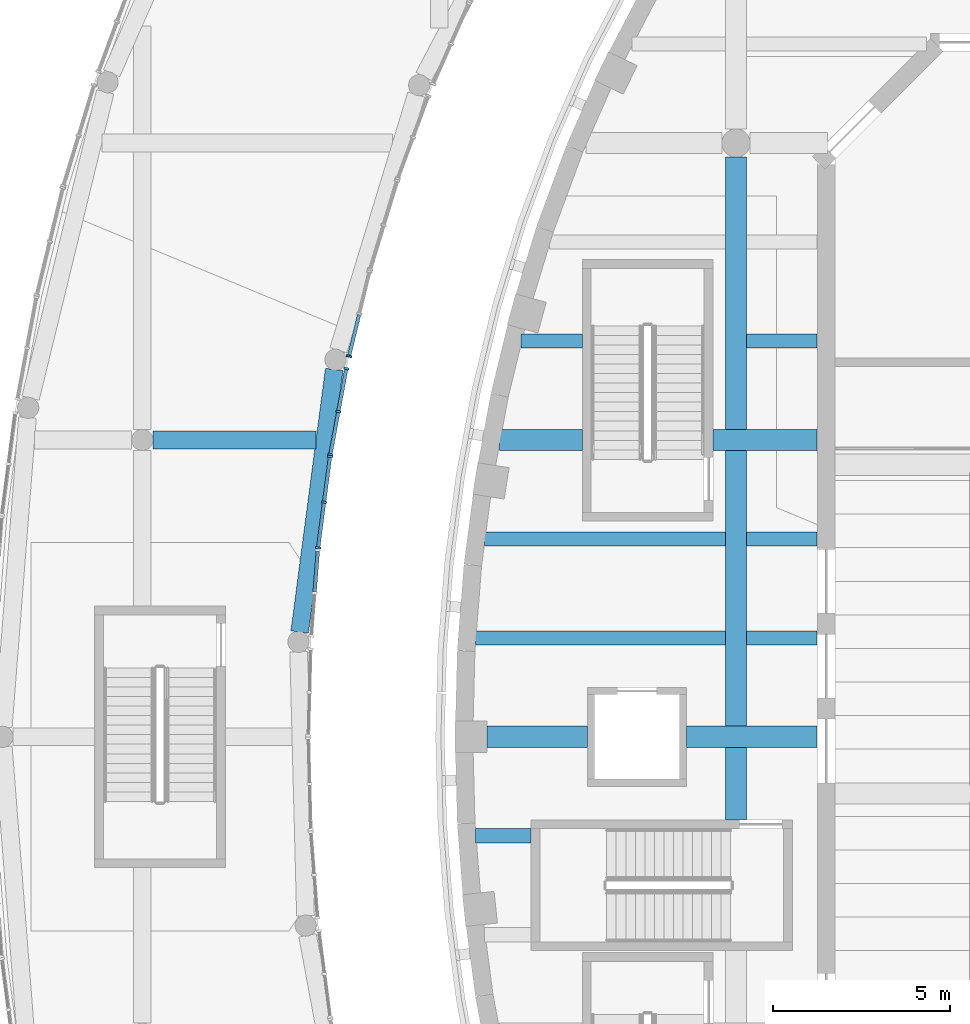
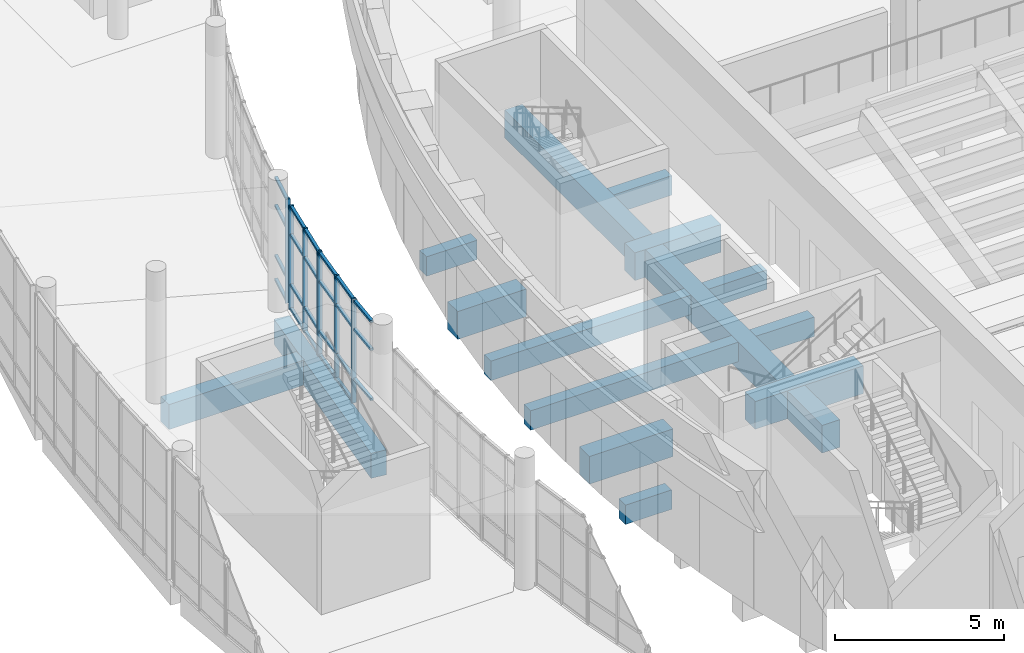
# One storey, part 20 of 119: 30 members, 14 beams, 4 elements without a shape of their own.
"""IFC4 building model written with IfcOpenShell, lengths in metres."""

from ifc_helpers import new_model, si_unit, direction, frame, origin, origin_2d, place, context, subcontext, project, spatial, rectangle, extrude, material, layer, layer_set, material_profile, profile_set, type_object, element, aggregate, save


model = new_model("IFC4")

# Units and contexts
model_context = context("Model", 3, precision=1e-05, world=origin(), true_north=direction((0.0, 1.0)))
body_context = subcontext(model_context, "Body", "Model", "MODEL_VIEW")
ifc_project = project(units=[si_unit("LENGTHUNIT", "METRE"), si_unit("AREAUNIT", "SQUARE_METRE"), si_unit("VOLUMEUNIT", "CUBIC_METRE"), si_unit("PLANEANGLEUNIT", "RADIAN"), si_unit("MASSUNIT", "GRAM", prefix="KILO")], contexts=[model_context])

# Site, building, storey
site_placement = place(None, origin())
site = spatial("IfcSite", under=ifc_project, at=site_placement, CompositionType="ELEMENT")
building_placement = place(site_placement, origin())
building = spatial("IfcBuilding", under=site, at=building_placement, Name="Larchfold Concert Hall", CompositionType="ELEMENT")
storey_placement = place(building_placement, frame((0.0, 0.0, 4.800048828125)))
storey = spatial("IfcBuildingStorey", under=building, at=storey_placement, Name="L01", CompositionType="ELEMENT", Elevation=4.800048828125)

# Curtain wall, members
ifc_material_1 = material(Name="Anodised graphite aluminium curtain wall", Category="aluminium")
ifc_layer = layer(ifc_material_1, 0.14990234375)
ifc_layer_set = layer_set([ifc_layer], Name="Anodised graphite aluminium curtain wall")
curtain_wall_type = type_object("IfcCurtainWallType", Name="Curtain wall WG", PredefinedType="NOTDEFINED", material=ifc_layer_set)
curtain_wall_1_placement = place(storey_placement, origin())
curtain_wall_1 = element("IfcCurtainWall", 1, at=curtain_wall_1_placement, inside=storey, type_object=curtain_wall_type, Name="Curtain wall CW0149", PredefinedType="NOTDEFINED")
ifc_material_2 = material(Name="Anodised graphite aluminium mullion", Category="aluminium")
ifc_material_profile_1 = material_profile(ifc_material_2, rectangle(XDim=0.14990234375, YDim=0.06005859375, at=origin_2d()))
ifc_profile_set_1 = profile_set([ifc_material_profile_1], Name="Anodised graphite aluminium mullion")
member_type_1 = type_object("IfcMemberType", Name="Aluminium mullion 60x150", PredefinedType="MULLION", material=ifc_profile_set_1)
member_1_placement = place(storey_placement, frame((13.977783203125, 89.94580078125, 0.0), z_axis=(0.0, 0.0, 1.0), x_axis=(-0.991560542069, 0.129644480836, 0.0)))
member_1 = element("IfcMember", 2, at=member_1_placement, type_object=member_type_1, Name="CW0149 mullion 1", PredefinedType="MULLION", context=body_context, shape_type="SweptSolid", body=[
    extrude(rectangle(XDim=0.14990234375, YDim=0.06005859375, at=origin_2d()), origin(), (0.0, 0.0, 1.0), 3.75),
])
member_2_placement = place(storey_placement, frame((14.146728515625, 91.238037109375, 0.0), z_axis=(0.0, 0.0, 1.0), x_axis=(-0.991560542069, 0.129644480836, 0.0)))
member_2 = element("IfcMember", 3, at=member_2_placement, type_object=member_type_1, Name="CW0149 mullion 2", PredefinedType="MULLION", context=body_context, shape_type="SweptSolid", body=[
    extrude(rectangle(XDim=0.14990234375, YDim=0.06005859375, at=origin_2d()), origin(), (0.0, 0.0, 1.0), 3.75),
])
member_3_placement = place(storey_placement, frame((14.315673828125, 92.5302734375, 0.0), z_axis=(0.0, 0.0, 1.0), x_axis=(-0.991560542069, 0.129644480836, 0.0)))
member_3 = element("IfcMember", 4, at=member_3_placement, type_object=member_type_1, Name="CW0149 mullion 3", PredefinedType="MULLION", context=body_context, shape_type="SweptSolid", body=[
    extrude(rectangle(XDim=0.14990234375, YDim=0.06005859375, at=origin_2d()), origin(), (0.0, 0.0, 1.0), 3.75),
])

curtain_wall_2_placement = place(storey_placement, origin())
curtain_wall_2 = element("IfcCurtainWall", 5, at=curtain_wall_2_placement, inside=storey, type_object=curtain_wall_type, Name="Curtain wall CW0150", PredefinedType="NOTDEFINED")
member_4_placement = place(storey_placement, frame((14.324951171875, 92.589599609375, 0.0), z_axis=(0.0, 0.0, 1.0), x_axis=(-0.983232729264, 0.182355148282, 0.0)))
member_4 = element("IfcMember", 6, at=member_4_placement, type_object=member_type_1, Name="CW0150 mullion 1", PredefinedType="MULLION", context=body_context, shape_type="SweptSolid", body=[
    extrude(rectangle(XDim=0.14990234375, YDim=0.06005859375, at=origin_2d()), origin(), (0.0, 0.0, 1.0), 3.75),
])
member_5_placement = place(storey_placement, frame((14.55029296875, 93.8046875, 0.0), z_axis=(0.0, 0.0, 1.0), x_axis=(-0.983232729264, 0.182355148282, 0.0)))
member_5 = element("IfcMember", 7, at=member_5_placement, type_object=member_type_1, Name="CW0150 mullion 2", PredefinedType="MULLION", context=body_context, shape_type="SweptSolid", body=[
    extrude(rectangle(XDim=0.14990234375, YDim=0.06005859375, at=origin_2d()), origin(), (0.0, 0.0, 1.0), 3.75),
])
member_6_placement = place(storey_placement, frame((14.77587890625, 95.019775390625, 0.0), z_axis=(0.0, 0.0, 1.0), x_axis=(-0.983232729264, 0.182355148282, 0.0)))
member_6 = element("IfcMember", 8, at=member_6_placement, type_object=member_type_1, Name="CW0150 mullion 3", PredefinedType="MULLION", context=body_context, shape_type="SweptSolid", body=[
    extrude(rectangle(XDim=0.14990234375, YDim=0.06005859375, at=origin_2d()), origin(), (0.0, 0.0, 1.0), 3.75),
])

# Curtain wall, member
curtain_wall_3_placement = place(storey_placement, origin())
curtain_wall_3 = element("IfcCurtainWall", 9, at=curtain_wall_3_placement, inside=storey, type_object=curtain_wall_type, Name="Curtain wall CW0151", PredefinedType="NOTDEFINED")
member_7_placement = place(storey_placement, frame((14.8515625, 95.371337890625, 0.0), z_axis=(0.0, 0.0, 1.0), x_axis=(-0.971761957722, 0.235963339363, 0.0)))
member_7 = element("IfcMember", 10, at=member_7_placement, type_object=member_type_1, Name="CW0151 mullion 1", PredefinedType="MULLION", context=body_context, shape_type="SweptSolid", body=[
    extrude(rectangle(XDim=0.14990234375, YDim=0.06005859375, at=origin_2d()), origin(), (0.0, 0.0, 1.0), 3.75),
])

# Curtain wall, members
curtain_wall_4_placement = place(storey_placement, origin())
curtain_wall_4 = element("IfcCurtainWall", 11, at=curtain_wall_4_placement, inside=storey, type_object=curtain_wall_type, Name="Curtain wall CW0148", PredefinedType="NOTDEFINED")
ifc_material_3 = material(Name="Anodised graphite aluminium transom", Category="aluminium")
ifc_material_profile_2 = material_profile(ifc_material_3, rectangle(XDim=0.10009765625, YDim=0.080078125, at=origin_2d()))
ifc_profile_set_2 = profile_set([ifc_material_profile_2], Name="Anodised graphite aluminium transom")
member_type_2 = type_object("IfcMemberType", Name="Aluminium transom 80x100", PredefinedType="USERDEFINED", material=ifc_profile_set_2)
member_8_placement = place(storey_placement, frame((13.879150390625, 88.69677734375, 0.89990234375), z_axis=(0.077467071428, 0.996994911143, 0.0), x_axis=(-0.996994911143, 0.077467071428, 0.0)))
member_8 = element("IfcMember", 12, at=member_8_placement, type_object=member_type_2, Name="CW0148 transom 2.2", ObjectType="TRANSOM", PredefinedType="USERDEFINED", context=body_context, shape_type="SweptSolid", body=[
    extrude(rectangle(XDim=0.10009765625, YDim=0.080078125, at=origin_2d()), origin(), (0.0, 0.0, 1.0), 1.162841796875),
])
member_9_placement = place(storey_placement, frame((13.879150390625, 88.69677734375, 2.699951171875), z_axis=(0.077467071428, 0.996994911143, 0.0), x_axis=(-0.996994911143, 0.077467071428, 0.0)))
member_9 = element("IfcMember", 13, at=member_9_placement, type_object=member_type_2, Name="CW0148 transom 2.3", ObjectType="TRANSOM", PredefinedType="USERDEFINED", context=body_context, shape_type="SweptSolid", body=[
    extrude(rectangle(XDim=0.10009765625, YDim=0.080078125, at=origin_2d()), origin(), (0.0, 0.0, 1.0), 1.162841796875),
])
member_10_placement = place(storey_placement, frame((13.879150390625, 88.69677734375, 3.7099609375), z_axis=(0.077467071428, 0.996994911143, 0.0), x_axis=(-0.996994911143, 0.077467071428, 0.0)))
member_10 = element("IfcMember", 14, at=member_10_placement, type_object=member_type_2, Name="CW0148 transom 2.4", ObjectType="TRANSOM", PredefinedType="USERDEFINED", context=body_context, shape_type="SweptSolid", body=[
    extrude(rectangle(XDim=0.10009765625, YDim=0.080078125, at=origin_2d()), origin(), (0.0, 0.0, 1.0), 1.162841796875),
])
aggregate(curtain_wall_4, [member_8, member_9, member_10])

# Member
member_11_placement = place(storey_placement, frame((13.981689453125, 89.9755859375, 0.0400390625), z_axis=(0.129616239755, 0.991564234123, 0.0), x_axis=(-0.991564234123, 0.129616239755, 0.0)))
member_11 = element("IfcMember", 15, at=member_11_placement, type_object=member_type_2, Name="CW0149 transom 1.1", ObjectType="TRANSOM", PredefinedType="USERDEFINED", context=body_context, shape_type="SweptSolid", body=[
    extrude(rectangle(XDim=0.10009765625, YDim=0.080078125, at=origin_2d()), origin(), (0.0, 0.0, 1.0), 1.2431640625),
])

member_12_placement = place(storey_placement, frame((13.981689453125, 89.9755859375, 0.89990234375), z_axis=(0.129616239755, 0.991564234123, 0.0), x_axis=(-0.991564234123, 0.129616239755, 0.0)))
member_12 = element("IfcMember", 16, at=member_12_placement, type_object=member_type_2, Name="CW0149 transom 1.2", ObjectType="TRANSOM", PredefinedType="USERDEFINED", context=body_context, shape_type="SweptSolid", body=[
    extrude(rectangle(XDim=0.10009765625, YDim=0.080078125, at=origin_2d()), origin(), (0.0, 0.0, 1.0), 1.2431640625),
])

member_13_placement = place(storey_placement, frame((13.981689453125, 89.9755859375, 2.699951171875), z_axis=(0.129616239755, 0.991564234123, 0.0), x_axis=(-0.991564234123, 0.129616239755, 0.0)))
member_13 = element("IfcMember", 17, at=member_13_placement, type_object=member_type_2, Name="CW0149 transom 1.3", ObjectType="TRANSOM", PredefinedType="USERDEFINED", context=body_context, shape_type="SweptSolid", body=[
    extrude(rectangle(XDim=0.10009765625, YDim=0.080078125, at=origin_2d()), origin(), (0.0, 0.0, 1.0), 1.2431640625),
])

member_14_placement = place(storey_placement, frame((13.981689453125, 89.9755859375, 3.7099609375), z_axis=(0.129616239755, 0.991564234123, 0.0), x_axis=(-0.991564234123, 0.129616239755, 0.0)))
member_14 = element("IfcMember", 18, at=member_14_placement, type_object=member_type_2, Name="CW0149 transom 1.4", ObjectType="TRANSOM", PredefinedType="USERDEFINED", context=body_context, shape_type="SweptSolid", body=[
    extrude(rectangle(XDim=0.10009765625, YDim=0.080078125, at=origin_2d()), origin(), (0.0, 0.0, 1.0), 1.2431640625),
])

member_15_placement = place(storey_placement, frame((14.150634765625, 91.267822265625, 0.0400390625), z_axis=(0.129616239755, 0.991564234123, 0.0), x_axis=(-0.991564234123, 0.129616239755, 0.0)))
member_15 = element("IfcMember", 19, at=member_15_placement, type_object=member_type_2, Name="CW0149 transom 2.1", ObjectType="TRANSOM", PredefinedType="USERDEFINED", context=body_context, shape_type="SweptSolid", body=[
    extrude(rectangle(XDim=0.10009765625, YDim=0.080078125, at=origin_2d()), origin(), (0.0, 0.0, 1.0), 1.2431640625),
])

member_16_placement = place(storey_placement, frame((14.150634765625, 91.267822265625, 0.89990234375), z_axis=(0.129616239755, 0.991564234123, 0.0), x_axis=(-0.991564234123, 0.129616239755, 0.0)))
member_16 = element("IfcMember", 20, at=member_16_placement, type_object=member_type_2, Name="CW0149 transom 2.2", ObjectType="TRANSOM", PredefinedType="USERDEFINED", context=body_context, shape_type="SweptSolid", body=[
    extrude(rectangle(XDim=0.10009765625, YDim=0.080078125, at=origin_2d()), origin(), (0.0, 0.0, 1.0), 1.2431640625),
])

member_17_placement = place(storey_placement, frame((14.150634765625, 91.267822265625, 2.699951171875), z_axis=(0.129616239755, 0.991564234123, 0.0), x_axis=(-0.991564234123, 0.129616239755, 0.0)))
member_17 = element("IfcMember", 21, at=member_17_placement, type_object=member_type_2, Name="CW0149 transom 2.3", ObjectType="TRANSOM", PredefinedType="USERDEFINED", context=body_context, shape_type="SweptSolid", body=[
    extrude(rectangle(XDim=0.10009765625, YDim=0.080078125, at=origin_2d()), origin(), (0.0, 0.0, 1.0), 1.2431640625),
])

member_18_placement = place(storey_placement, frame((14.150634765625, 91.267822265625, 3.7099609375), z_axis=(0.129616239755, 0.991564234123, 0.0), x_axis=(-0.991564234123, 0.129616239755, 0.0)))
member_18 = element("IfcMember", 22, at=member_18_placement, type_object=member_type_2, Name="CW0149 transom 2.4", ObjectType="TRANSOM", PredefinedType="USERDEFINED", context=body_context, shape_type="SweptSolid", body=[
    extrude(rectangle(XDim=0.10009765625, YDim=0.080078125, at=origin_2d()), origin(), (0.0, 0.0, 1.0), 1.2431640625),
])

aggregate(curtain_wall_1, [member_1, member_2, member_3, member_11, member_12, member_13, member_14, member_15, member_16, member_17, member_18])

member_19_placement = place(storey_placement, frame((14.33056640625, 92.619140625, 0.0400390625), z_axis=(0.18231976708, 0.983239290576, 0.0), x_axis=(-0.983239290576, 0.18231976708, 0.0)))
member_19 = element("IfcMember", 23, at=member_19_placement, type_object=member_type_2, Name="CW0150 transom 1.1", ObjectType="TRANSOM", PredefinedType="USERDEFINED", context=body_context, shape_type="SweptSolid", body=[
    extrude(rectangle(XDim=0.10009765625, YDim=0.080078125, at=origin_2d()), origin(), (0.0, 0.0, 1.0), 1.17578125),
])

member_20_placement = place(storey_placement, frame((14.33056640625, 92.619140625, 0.89990234375), z_axis=(0.18231976708, 0.983239290576, 0.0), x_axis=(-0.983239290576, 0.18231976708, 0.0)))
member_20 = element("IfcMember", 24, at=member_20_placement, type_object=member_type_2, Name="CW0150 transom 1.2", ObjectType="TRANSOM", PredefinedType="USERDEFINED", context=body_context, shape_type="SweptSolid", body=[
    extrude(rectangle(XDim=0.10009765625, YDim=0.080078125, at=origin_2d()), origin(), (0.0, 0.0, 1.0), 1.17578125),
])

member_21_placement = place(storey_placement, frame((14.33056640625, 92.619140625, 2.699951171875), z_axis=(0.18231976708, 0.983239290576, 0.0), x_axis=(-0.983239290576, 0.18231976708, 0.0)))
member_21 = element("IfcMember", 25, at=member_21_placement, type_object=member_type_2, Name="CW0150 transom 1.3", ObjectType="TRANSOM", PredefinedType="USERDEFINED", context=body_context, shape_type="SweptSolid", body=[
    extrude(rectangle(XDim=0.10009765625, YDim=0.080078125, at=origin_2d()), origin(), (0.0, 0.0, 1.0), 1.17578125),
])

member_22_placement = place(storey_placement, frame((14.33056640625, 92.619140625, 3.7099609375), z_axis=(0.18231976708, 0.983239290576, 0.0), x_axis=(-0.983239290576, 0.18231976708, 0.0)))
member_22 = element("IfcMember", 26, at=member_22_placement, type_object=member_type_2, Name="CW0150 transom 1.4", ObjectType="TRANSOM", PredefinedType="USERDEFINED", context=body_context, shape_type="SweptSolid", body=[
    extrude(rectangle(XDim=0.10009765625, YDim=0.080078125, at=origin_2d()), origin(), (0.0, 0.0, 1.0), 1.17578125),
])

member_23_placement = place(storey_placement, frame((14.555908203125, 93.834228515625, 0.0400390625), z_axis=(0.18231976708, 0.983239290576, 0.0), x_axis=(-0.983239290576, 0.18231976708, 0.0)))
member_23 = element("IfcMember", 27, at=member_23_placement, type_object=member_type_2, Name="CW0150 transom 2.1", ObjectType="TRANSOM", PredefinedType="USERDEFINED", context=body_context, shape_type="SweptSolid", body=[
    extrude(rectangle(XDim=0.10009765625, YDim=0.080078125, at=origin_2d()), origin(), (0.0, 0.0, 1.0), 1.17578125),
])

member_24_placement = place(storey_placement, frame((14.555908203125, 93.834228515625, 0.89990234375), z_axis=(0.18231976708, 0.983239290576, 0.0), x_axis=(-0.983239290576, 0.18231976708, 0.0)))
member_24 = element("IfcMember", 28, at=member_24_placement, type_object=member_type_2, Name="CW0150 transom 2.2", ObjectType="TRANSOM", PredefinedType="USERDEFINED", context=body_context, shape_type="SweptSolid", body=[
    extrude(rectangle(XDim=0.10009765625, YDim=0.080078125, at=origin_2d()), origin(), (0.0, 0.0, 1.0), 1.17578125),
])

member_25_placement = place(storey_placement, frame((14.555908203125, 93.834228515625, 2.699951171875), z_axis=(0.18231976708, 0.983239290576, 0.0), x_axis=(-0.983239290576, 0.18231976708, 0.0)))
member_25 = element("IfcMember", 29, at=member_25_placement, type_object=member_type_2, Name="CW0150 transom 2.3", ObjectType="TRANSOM", PredefinedType="USERDEFINED", context=body_context, shape_type="SweptSolid", body=[
    extrude(rectangle(XDim=0.10009765625, YDim=0.080078125, at=origin_2d()), origin(), (0.0, 0.0, 1.0), 1.17578125),
])

member_26_placement = place(storey_placement, frame((14.555908203125, 93.834228515625, 3.7099609375), z_axis=(0.18231976708, 0.983239290576, 0.0), x_axis=(-0.983239290576, 0.18231976708, 0.0)))
member_26 = element("IfcMember", 30, at=member_26_placement, type_object=member_type_2, Name="CW0150 transom 2.4", ObjectType="TRANSOM", PredefinedType="USERDEFINED", context=body_context, shape_type="SweptSolid", body=[
    extrude(rectangle(XDim=0.10009765625, YDim=0.080078125, at=origin_2d()), origin(), (0.0, 0.0, 1.0), 1.17578125),
])

aggregate(curtain_wall_2, [member_4, member_5, member_6, member_19, member_20, member_21, member_22, member_23, member_24, member_25, member_26])

member_27_placement = place(storey_placement, frame((14.858642578125, 95.400634765625, 0.0400390625), z_axis=(0.236048006379, 0.971741394963, 0.0), x_axis=(-0.971741394963, 0.236048006379, 0.0)))
member_27 = element("IfcMember", 31, at=member_27_placement, type_object=member_type_2, Name="CW0151 transom 1.1", ObjectType="TRANSOM", PredefinedType="USERDEFINED", context=body_context, shape_type="SweptSolid", body=[
    extrude(rectangle(XDim=0.10009765625, YDim=0.080078125, at=origin_2d()), origin(), (0.0, 0.0, 1.0), 1.169677734375),
])

member_28_placement = place(storey_placement, frame((14.858642578125, 95.400634765625, 0.89990234375), z_axis=(0.236048006379, 0.971741394963, 0.0), x_axis=(-0.971741394963, 0.236048006379, 0.0)))
member_28 = element("IfcMember", 32, at=member_28_placement, type_object=member_type_2, Name="CW0151 transom 1.2", ObjectType="TRANSOM", PredefinedType="USERDEFINED", context=body_context, shape_type="SweptSolid", body=[
    extrude(rectangle(XDim=0.10009765625, YDim=0.080078125, at=origin_2d()), origin(), (0.0, 0.0, 1.0), 1.169677734375),
])

member_29_placement = place(storey_placement, frame((14.858642578125, 95.400634765625, 2.699951171875), z_axis=(0.236048006379, 0.971741394963, 0.0), x_axis=(-0.971741394963, 0.236048006379, 0.0)))
member_29 = element("IfcMember", 33, at=member_29_placement, type_object=member_type_2, Name="CW0151 transom 1.3", ObjectType="TRANSOM", PredefinedType="USERDEFINED", context=body_context, shape_type="SweptSolid", body=[
    extrude(rectangle(XDim=0.10009765625, YDim=0.080078125, at=origin_2d()), origin(), (0.0, 0.0, 1.0), 1.169677734375),
])

member_30_placement = place(storey_placement, frame((14.858642578125, 95.400634765625, 3.7099609375), z_axis=(0.236048006379, 0.971741394963, 0.0), x_axis=(-0.971741394963, 0.236048006379, 0.0)))
member_30 = element("IfcMember", 34, at=member_30_placement, type_object=member_type_2, Name="CW0151 transom 1.4", ObjectType="TRANSOM", PredefinedType="USERDEFINED", context=body_context, shape_type="SweptSolid", body=[
    extrude(rectangle(XDim=0.10009765625, YDim=0.080078125, at=origin_2d()), origin(), (0.0, 0.0, 1.0), 1.169677734375),
])

aggregate(curtain_wall_3, [member_7, member_27, member_28, member_29, member_30])

# Beams
ifc_material_4 = material(Name="Concrete C35/45", Category="concrete")
ifc_material_profile_3 = material_profile(ifc_material_4, rectangle(XDim=0.39990234375, YDim=0.699951171875, at=origin_2d()))
ifc_profile_set_3 = profile_set([ifc_material_profile_3], Name="Concrete C35/45")
beam_type_1 = type_object("IfcBeamType", Name="Beam RC 400x700", PredefinedType="BEAM", material=ifc_profile_set_3)
beam_1_placement = place(storey_placement, frame((18.421875, 81.800048828125, -0.550048828125), z_axis=(1.0, 0.0, 0.0), x_axis=(0.0, 1.0, 0.0)))
element("IfcBeam", 35, at=beam_1_placement, inside=storey, type_object=beam_type_1, Name="Beam B1235", PredefinedType="BEAM", context=body_context, shape_type="SweptSolid", body=[
    extrude(rectangle(XDim=0.39990234375, YDim=0.699951171875, at=origin_2d()), origin(), (0.0, 0.0, 1.0), 1.578125),
])
beam_2_placement = place(storey_placement, frame((18.422119140625, 87.39990234375, -0.550048828125), z_axis=(1.0, 0.0, 0.0), x_axis=(0.0, 1.0, 0.0)))
element("IfcBeam", 36, at=beam_2_placement, inside=storey, type_object=beam_type_1, Name="Beam B1237", PredefinedType="BEAM", context=body_context, shape_type="SweptSolid", body=[
    extrude(rectangle(XDim=0.39990234375, YDim=0.699951171875, at=origin_2d()), origin(), (0.0, 0.0, 1.0), 7.077880859375),
])
beam_3_placement = place(storey_placement, frame((26.10009765625, 87.39990234375, -0.550048828125), z_axis=(1.0, 0.0, 0.0), x_axis=(0.0, 1.0, 0.0)))
element("IfcBeam", 37, at=beam_3_placement, inside=storey, type_object=beam_type_1, Name="Beam B1238", PredefinedType="BEAM", context=body_context, shape_type="SweptSolid", body=[
    extrude(rectangle(XDim=0.39990234375, YDim=0.699951171875, at=origin_2d()), origin(), (0.0, 0.0, 1.0), 1.989990234375),
])
beam_4_placement = place(storey_placement, frame((18.680419921875, 90.199951171875, -0.550048828125), z_axis=(1.0, 0.0, 0.0), x_axis=(0.0, 1.0, 0.0)))
element("IfcBeam", 38, at=beam_4_placement, inside=storey, type_object=beam_type_1, Name="Beam B1241", PredefinedType="BEAM", context=body_context, shape_type="SweptSolid", body=[
    extrude(rectangle(XDim=0.39990234375, YDim=0.699951171875, at=origin_2d()), origin(), (0.0, 0.0, 1.0), 6.819580078125),
])
beam_5_placement = place(storey_placement, frame((26.10009765625, 90.199951171875, -0.550048828125), z_axis=(1.0, 0.0, 0.0), x_axis=(0.0, 1.0, 0.0)))
element("IfcBeam", 39, at=beam_5_placement, inside=storey, type_object=beam_type_1, Name="Beam B1242", PredefinedType="BEAM", context=body_context, shape_type="SweptSolid", body=[
    extrude(rectangle(XDim=0.39990234375, YDim=0.699951171875, at=origin_2d()), origin(), (0.0, 0.0, 1.0), 1.989990234375),
])
beam_6_placement = place(storey_placement, frame((19.72021484375, 95.800048828125, -0.550048828125), z_axis=(1.0, 0.0, 0.0), x_axis=(0.0, 1.0, 0.0)))
element("IfcBeam", 40, at=beam_6_placement, inside=storey, type_object=beam_type_1, Name="Beam B1245", PredefinedType="BEAM", context=body_context, shape_type="SweptSolid", body=[
    extrude(rectangle(XDim=0.39990234375, YDim=0.699951171875, at=origin_2d()), origin(), (0.0, 0.0, 1.0), 1.729736328125),
])
beam_7_placement = place(storey_placement, frame((26.10009765625, 95.800048828125, -0.550048828125), z_axis=(1.0, 0.0, 0.0), x_axis=(0.0, 1.0, 0.0)))
element("IfcBeam", 41, at=beam_7_placement, inside=storey, type_object=beam_type_1, Name="Beam B1246", PredefinedType="BEAM", context=body_context, shape_type="SweptSolid", body=[
    extrude(rectangle(XDim=0.39990234375, YDim=0.699951171875, at=origin_2d()), origin(), (0.0, 0.0, 1.0), 1.989990234375),
])
ifc_material_5 = material(Name="Concrete C35/45", Category="concrete")
ifc_material_profile_4 = material_profile(ifc_material_5, rectangle(XDim=0.5, YDim=0.89990234375, at=origin_2d()))
ifc_profile_set_4 = profile_set([ifc_material_profile_4], Name="Concrete C35/45")
beam_type_2 = type_object("IfcBeamType", Name="Beam RC 500x900", PredefinedType="BEAM", material=ifc_profile_set_4)
beam_8_placement = place(storey_placement, frame((14.430419921875, 94.992431640625, -0.60009765625), z_axis=(-0.130274084272, -0.991478019407, 0.0), x_axis=(0.991478019407, -0.130274084272, 0.0)))
element("IfcBeam", 42, at=beam_8_placement, inside=storey, type_object=beam_type_2, Name="Beam B1887", PredefinedType="BEAM", context=body_context, shape_type="SweptSolid", body=[
    extrude(rectangle(XDim=0.5, YDim=0.89990234375, at=origin_2d()), origin(), (0.0, 0.0, 1.0), 7.490478515625),
])
beam_9_placement = place(storey_placement, frame((9.298828125, 93.0, -0.60009765625), z_axis=(1.0, 0.0, 0.0), x_axis=(0.0, 1.0, 0.0)))
element("IfcBeam", 43, at=beam_9_placement, inside=storey, type_object=beam_type_2, Name="Beam B1925", PredefinedType="BEAM", context=body_context, shape_type="SweptSolid", body=[
    extrude(rectangle(XDim=0.5, YDim=0.89990234375, at=origin_2d()), origin(), (0.0, 0.0, 1.0), 4.61767578125),
])
ifc_material_6 = material(Name="Concrete C35/45", Category="concrete")
ifc_material_profile_5 = material_profile(ifc_material_6, rectangle(XDim=0.60009765625, YDim=1.0, at=origin_2d()))
ifc_profile_set_5 = profile_set([ifc_material_profile_5], Name="Concrete C35/45")
beam_type_3 = type_object("IfcBeamType", Name="Beam RC 600x1000", PredefinedType="BEAM", material=ifc_profile_set_5)
beam_10_placement = place(storey_placement, frame((25.800048828125, 82.25, -0.699951171875), z_axis=(0.0, 1.0, 0.0), x_axis=(-1.0, 0.0, 0.0)))
element("IfcBeam", 44, at=beam_10_placement, inside=storey, type_object=beam_type_3, Name="Beam B1185", PredefinedType="BEAM", context=body_context, shape_type="SweptSolid", body=[
    extrude(rectangle(XDim=0.60009765625, YDim=1.0, at=origin_2d()), origin(), (0.0, 0.0, 1.0), 18.751708984375),
])
beam_11_placement = place(storey_placement, frame((18.75, 84.60009765625, -0.699951171875), z_axis=(1.0, 0.0, 0.0), x_axis=(0.0, 1.0, 0.0)))
element("IfcBeam", 45, at=beam_11_placement, inside=storey, type_object=beam_type_3, Name="Beam B1203", PredefinedType="BEAM", context=body_context, shape_type="SweptSolid", body=[
    extrude(rectangle(XDim=0.60009765625, YDim=1.0, at=origin_2d()), origin(), (0.0, 0.0, 1.0), 2.85009765625),
])
beam_12_placement = place(storey_placement, frame((24.39990234375, 84.60009765625, -0.699951171875), z_axis=(1.0, 0.0, 0.0), x_axis=(0.0, 1.0, 0.0)))
element("IfcBeam", 46, at=beam_12_placement, inside=storey, type_object=beam_type_3, Name="Beam B1204", PredefinedType="BEAM", context=body_context, shape_type="SweptSolid", body=[
    extrude(rectangle(XDim=0.60009765625, YDim=1.0, at=origin_2d()), origin(), (0.0, 0.0, 1.0), 3.690185546875),
])
beam_13_placement = place(storey_placement, frame((19.1103515625, 93.0, -0.699951171875), z_axis=(1.0, 0.0, 0.0), x_axis=(0.0, 1.0, 0.0)))
element("IfcBeam", 47, at=beam_13_placement, inside=storey, type_object=beam_type_3, Name="Beam B1207", PredefinedType="BEAM", context=body_context, shape_type="SweptSolid", body=[
    extrude(rectangle(XDim=0.60009765625, YDim=1.0, at=origin_2d()), origin(), (0.0, 0.0, 1.0), 2.339599609375),
])
beam_14_placement = place(storey_placement, frame((25.14990234375, 93.0, -0.699951171875), z_axis=(1.0, 0.0, 0.0), x_axis=(0.0, 1.0, 0.0)))
element("IfcBeam", 48, at=beam_14_placement, inside=storey, type_object=beam_type_3, Name="Beam B1208", PredefinedType="BEAM", context=body_context, shape_type="SweptSolid", body=[
    extrude(rectangle(XDim=0.60009765625, YDim=1.0, at=origin_2d()), origin(), (0.0, 0.0, 1.0), 2.940185546875),
])

save(model, "model.ifc")
